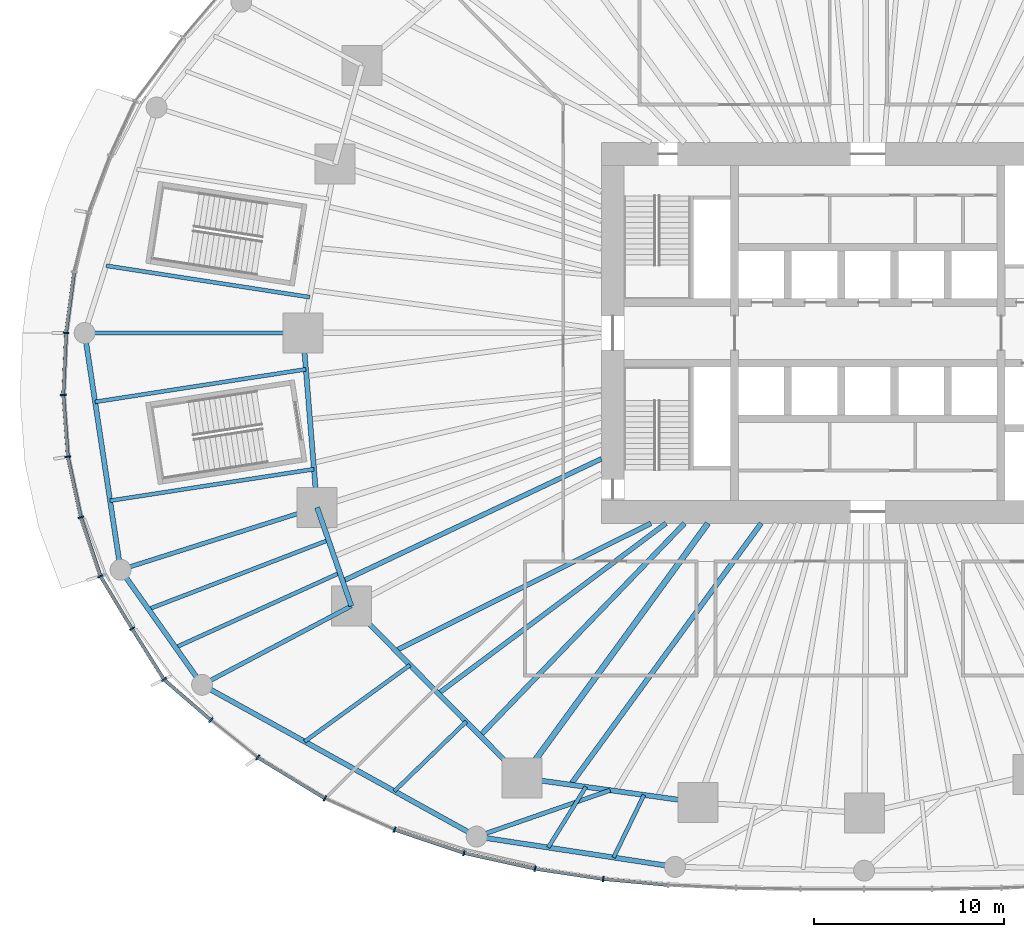
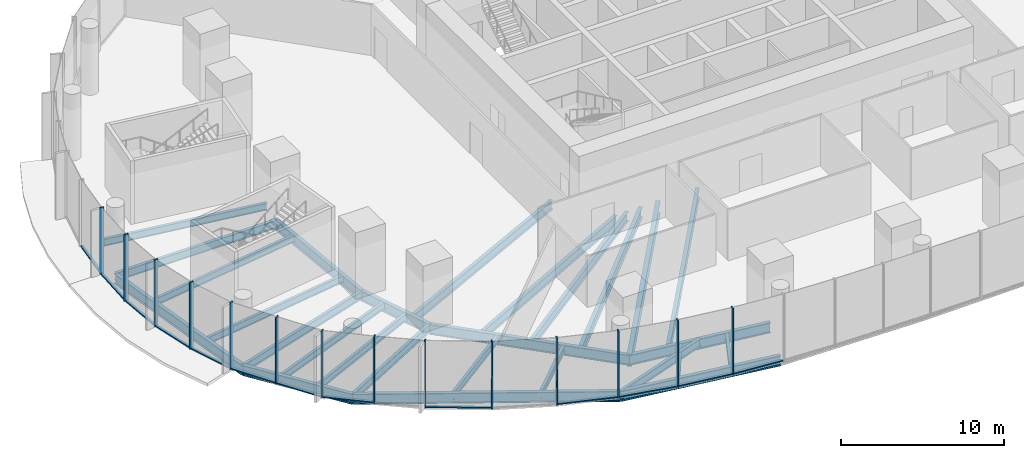
# One storey, part 2 of 28: 27 beams, 27 members, 5 elements without a shape of their own.
"""IFC4 building model written with IfcOpenShell, lengths in metres."""

from ifc_helpers import new_model, si_unit, direction, frame, origin, origin_2d, place, context, subcontext, project, spatial, rectangle, i_section, extrude, material, material_profile, profile_set, type_object, element, aggregate, save


model = new_model("IFC4")

# Units and contexts
model_context = context("Model", 3, precision=1e-05, world=origin(), true_north=direction((0.0, 1.0)))
body_context = subcontext(model_context, "Body", "Model", "MODEL_VIEW")
ifc_project = project(units=[si_unit("LENGTHUNIT", "METRE"), si_unit("AREAUNIT", "SQUARE_METRE"), si_unit("VOLUMEUNIT", "CUBIC_METRE"), si_unit("PLANEANGLEUNIT", "RADIAN"), si_unit("MASSUNIT", "GRAM", prefix="KILO")], contexts=[model_context])

# Site, building, storey
site_placement = place(None, origin())
site = spatial("IfcSite", under=ifc_project, at=site_placement, CompositionType="ELEMENT")
building_placement = place(site_placement, origin())
building = spatial("IfcBuilding", under=site, at=building_placement, Name="Ghaith Harvest Tower", CompositionType="ELEMENT")
storey_placement = place(building_placement, frame((0.0, 0.0, 5.0)))
storey = spatial("IfcBuildingStorey", under=building, at=storey_placement, Name="L01", CompositionType="ELEMENT", Elevation=5.0)

# Curtain wall, members
ifc_material_1 = material(Name="Black anodised aluminium and fritted glass", Category="aluminium")
curtain_wall_type = type_object("IfcCurtainWallType", Name="CW-P CURTAIN WALL", PredefinedType="NOTDEFINED", material=ifc_material_1)
curtain_wall_1_placement = place(storey_placement, origin())
curtain_wall_1 = element("IfcCurtainWall", 1, at=curtain_wall_1_placement, inside=storey, type_object=curtain_wall_type, Name="Curtain wall CW-P bay 11 L01", PredefinedType="NOTDEFINED")
ifc_material_2 = material(Name="Aluminium, black anodised", Category="aluminium")
ifc_material_profile_1 = material_profile(ifc_material_2, rectangle(XDim=0.080078125, YDim=0.300048828125, at=origin_2d()), Name="CW-P MULLION 80x300")
ifc_profile_set_1 = profile_set([ifc_material_profile_1], Name="Aluminium, black anodised")
member_type_1 = type_object("IfcMemberType", Name="CW-P MULLION 80x300", PredefinedType="MULLION", material=ifc_profile_set_1)
member_1_placement = place(storey_placement, frame((-42.1201171875, 0.0, 0.0), z_axis=(0.0, 0.0, 1.0), x_axis=(-0.088430686487, -0.996082332786, 0.0)))
member_1 = element("IfcMember", 2, at=member_1_placement, type_object=member_type_1, Name="CW-P mullion 1 bay 11 L01", PredefinedType="MULLION", context=body_context, shape_type="SweptSolid", body=[
    extrude(rectangle(XDim=0.080078125, YDim=0.300048828125, at=origin_2d()), origin(), (0.0, 0.0, 1.0), 5.0),
])
member_2_placement = place(storey_placement, frame((-42.265380859375, -3.249267578125, 0.0), z_axis=(0.0, 0.0, 1.0), x_axis=(0.014346656927, -0.999897081421, 0.0)))
member_2 = element("IfcMember", 3, at=member_2_placement, type_object=member_type_1, Name="CW-P mullion 2 bay 11 L01", PredefinedType="MULLION", context=body_context, shape_type="SweptSolid", body=[
    extrude(rectangle(XDim=0.080078125, YDim=0.300048828125, at=origin_2d()), origin(), (0.0, 0.0, 1.0), 5.0),
])
member_3_placement = place(storey_placement, frame((-42.02685546875, -6.500244140625, 0.0), z_axis=(0.0, 0.0, 1.0), x_axis=(0.141967505359, -0.989871318618, 0.0)))
member_3 = element("IfcMember", 4, at=member_3_placement, type_object=member_type_1, Name="CW-P mullion 3 bay 11 L01", PredefinedType="MULLION", context=body_context, shape_type="SweptSolid", body=[
    extrude(rectangle(XDim=0.080078125, YDim=0.300048828125, at=origin_2d()), origin(), (0.0, 0.0, 1.0), 5.0),
])
member_4_placement = place(storey_placement, frame((-41.341796875, -9.687744140625, 0.0), z_axis=(0.0, 0.0, 1.0), x_axis=(0.263666740541, -0.964613834616, 0.0)))
member_4 = element("IfcMember", 5, at=member_4_placement, type_object=member_type_1, Name="CW-P mullion 4 bay 11 L01", PredefinedType="MULLION", context=body_context, shape_type="SweptSolid", body=[
    extrude(rectangle(XDim=0.080078125, YDim=0.300048828125, at=origin_2d()), origin(), (0.0, 0.0, 1.0), 5.0),
])

curtain_wall_2_placement = place(storey_placement, origin())
curtain_wall_2 = element("IfcCurtainWall", 6, at=curtain_wall_2_placement, inside=storey, type_object=curtain_wall_type, Name="Curtain wall CW-P bay 12 L01", PredefinedType="NOTDEFINED")
member_5_placement = place(storey_placement, frame((-40.3115234375, -12.775390625, 0.0), z_axis=(0.0, 0.0, 1.0), x_axis=(0.418321809104, -0.908298884744, 0.0)))
member_5 = element("IfcMember", 7, at=member_5_placement, type_object=member_type_1, Name="CW-P mullion 1 bay 12 L01", PredefinedType="MULLION", context=body_context, shape_type="SweptSolid", body=[
    extrude(rectangle(XDim=0.080078125, YDim=0.300048828125, at=origin_2d()), origin(), (0.0, 0.0, 1.0), 5.0),
])
member_6_placement = place(storey_placement, frame((-38.6494140625, -15.53369140625, 0.0), z_axis=(0.0, 0.0, 1.0), x_axis=(0.522983895334, -0.852342563305, 0.0)))
member_6 = element("IfcMember", 8, at=member_6_placement, type_object=member_type_1, Name="CW-P mullion 2 bay 12 L01", PredefinedType="MULLION", context=body_context, shape_type="SweptSolid", body=[
    extrude(rectangle(XDim=0.080078125, YDim=0.300048828125, at=origin_2d()), origin(), (0.0, 0.0, 1.0), 5.0),
])
member_7_placement = place(storey_placement, frame((-36.981201171875, -18.202880859375, 0.0), z_axis=(0.0, 0.0, 1.0), x_axis=(0.653047165379, -0.75731723854, 0.0)))
member_7 = element("IfcMember", 9, at=member_7_placement, type_object=member_type_1, Name="CW-P mullion 3 bay 12 L01", PredefinedType="MULLION", context=body_context, shape_type="SweptSolid", body=[
    extrude(rectangle(XDim=0.080078125, YDim=0.300048828125, at=origin_2d()), origin(), (0.0, 0.0, 1.0), 5.0),
])
member_8_placement = place(storey_placement, frame((-34.5048828125, -20.34033203125, 0.0), z_axis=(0.0, 0.0, 1.0), x_axis=(0.769372987799, -0.638799816566, 0.0)))
member_8 = element("IfcMember", 10, at=member_8_placement, type_object=member_type_1, Name="CW-P mullion 4 bay 12 L01", PredefinedType="MULLION", context=body_context, shape_type="SweptSolid", body=[
    extrude(rectangle(XDim=0.080078125, YDim=0.300048828125, at=origin_2d()), origin(), (0.0, 0.0, 1.0), 5.0),
])

curtain_wall_3_placement = place(storey_placement, origin())
curtain_wall_3 = element("IfcCurtainWall", 11, at=curtain_wall_3_placement, inside=storey, type_object=curtain_wall_type, Name="Curtain wall CW-P bay 13 L01", PredefinedType="NOTDEFINED")
member_9_placement = place(storey_placement, frame((-32.0478515625, -22.299072265625, 0.0), z_axis=(0.0, 0.0, 1.0), x_axis=(0.824303659117, -0.566147929049, 0.0)))
member_9 = element("IfcMember", 12, at=member_9_placement, type_object=member_type_1, Name="CW-P mullion 1 bay 13 L01", PredefinedType="MULLION", context=body_context, shape_type="SweptSolid", body=[
    extrude(rectangle(XDim=0.080078125, YDim=0.300048828125, at=origin_2d()), origin(), (0.0, 0.0, 1.0), 5.0),
])
member_10_placement = place(storey_placement, frame((-28.51904296875, -24.451416015625, 0.0), z_axis=(0.0, 0.0, 1.0), x_axis=(0.884189562915, -0.467128265932, 0.0)))
member_10 = element("IfcMember", 13, at=member_10_placement, type_object=member_type_1, Name="CW-P mullion 2 bay 13 L01", PredefinedType="MULLION", context=body_context, shape_type="SweptSolid", body=[
    extrude(rectangle(XDim=0.080078125, YDim=0.300048828125, at=origin_2d()), origin(), (0.0, 0.0, 1.0), 5.0),
])
member_11_placement = place(storey_placement, frame((-24.861572265625, -26.095703125, 0.0), z_axis=(0.0, 0.0, 1.0), x_axis=(0.93087582333, -0.36533573811, 0.0)))
member_11 = element("IfcMember", 14, at=member_11_placement, type_object=member_type_1, Name="CW-P mullion 3 bay 13 L01", PredefinedType="MULLION", context=body_context, shape_type="SweptSolid", body=[
    extrude(rectangle(XDim=0.080078125, YDim=0.300048828125, at=origin_2d()), origin(), (0.0, 0.0, 1.0), 5.0),
])

curtain_wall_4_placement = place(storey_placement, origin())
curtain_wall_4 = element("IfcCurtainWall", 15, at=curtain_wall_4_placement, inside=storey, type_object=curtain_wall_type, Name="Curtain wall CW-P bay 14 L01", PredefinedType="NOTDEFINED")
member_12_placement = place(storey_placement, frame((-21.2158203125, -27.317626953125, 0.0), z_axis=(0.0, 0.0, 1.0), x_axis=(0.963515543875, -0.267652380358, 0.0)))
member_12 = element("IfcMember", 16, at=member_12_placement, type_object=member_type_1, Name="CW-P mullion 1 bay 14 L01", PredefinedType="MULLION", context=body_context, shape_type="SweptSolid", body=[
    extrude(rectangle(XDim=0.080078125, YDim=0.300048828125, at=origin_2d()), origin(), (0.0, 0.0, 1.0), 5.0),
])
member_13_placement = place(storey_placement, frame((-17.480224609375, -28.146240234375, 0.0), z_axis=(0.0, 0.0, 1.0), x_axis=(0.982925966769, -0.18400147785, 0.0)))
member_13 = element("IfcMember", 17, at=member_13_placement, type_object=member_type_1, Name="CW-P mullion 2 bay 14 L01", PredefinedType="MULLION", context=body_context, shape_type="SweptSolid", body=[
    extrude(rectangle(XDim=0.080078125, YDim=0.300048828125, at=origin_2d()), origin(), (0.0, 0.0, 1.0), 5.0),
])
member_14_placement = place(storey_placement, frame((-13.899169921875, -28.687255859375, 0.0), z_axis=(0.0, 0.0, 1.0), x_axis=(0.992661873774, -0.120923134079, 0.0)))
member_14 = element("IfcMember", 18, at=member_14_placement, type_object=member_type_1, Name="CW-P mullion 3 bay 14 L01", PredefinedType="MULLION", context=body_context, shape_type="SweptSolid", body=[
    extrude(rectangle(XDim=0.080078125, YDim=0.300048828125, at=origin_2d()), origin(), (0.0, 0.0, 1.0), 5.0),
])

# Curtain wall, member
curtain_wall_5_placement = place(storey_placement, origin())
curtain_wall_5 = element("IfcCurtainWall", 19, at=curtain_wall_5_placement, inside=storey, type_object=curtain_wall_type, Name="Curtain wall CW-P bay 10 L01", PredefinedType="NOTDEFINED")
ifc_material_3 = material(Name="Aluminium, black anodised", Category="aluminium")
ifc_material_profile_2 = material_profile(ifc_material_3, rectangle(XDim=0.179931640625, YDim=0.080078125, at=origin_2d()), Name="CW-P TRANSOM 180x80")
ifc_profile_set_2 = profile_set([ifc_material_profile_2], Name="Aluminium, black anodised")
member_type_2 = type_object("IfcMemberType", Name="CW-P TRANSOM 180x80", PredefinedType="USERDEFINED", material=ifc_profile_set_2)
member_15_placement = place(storey_placement, frame((-41.697509765625, 3.16552734375, 0.0400390625), z_axis=(-0.132300630161, -0.991209636383, 0.0), x_axis=(0.991209636383, -0.132300630161, 0.0)))
member_15 = element("IfcMember", 20, at=member_15_placement, type_object=member_type_2, Name="CW-P transom 4 bay 10 L01", ObjectType="TRANSOM", PredefinedType="USERDEFINED", context=body_context, shape_type="SweptSolid", body=[
    extrude(rectangle(XDim=0.179931640625, YDim=0.080078125, at=origin_2d()), origin(), (0.0, 0.0, 1.0), 3.15380859375),
])
aggregate(curtain_wall_5, [member_15])

# Member
member_16_placement = place(storey_placement, frame((-42.121826171875, -0.0400390625, 0.0400390625), z_axis=(-0.044636154371, -0.999003310166, 0.0), x_axis=(0.999003310166, -0.044636154371, 0.0)))
member_16 = element("IfcMember", 21, at=member_16_placement, type_object=member_type_2, Name="CW-P transom 1 bay 11 L01", ObjectType="TRANSOM", PredefinedType="USERDEFINED", context=body_context, shape_type="SweptSolid", body=[
    extrude(rectangle(XDim=0.179931640625, YDim=0.080078125, at=origin_2d()), origin(), (0.0, 0.0, 1.0), 3.17236328125),
])

member_17_placement = place(storey_placement, frame((-42.262451171875, -3.2890625, 0.0400390625), z_axis=(0.073249458945, -0.997313650144, 0.0), x_axis=(0.997313650144, 0.073249458945, 0.0)))
member_17 = element("IfcMember", 22, at=member_17_placement, type_object=member_type_2, Name="CW-P transom 2 bay 11 L01", ObjectType="TRANSOM", PredefinedType="USERDEFINED", context=body_context, shape_type="SweptSolid", body=[
    extrude(rectangle(XDim=0.179931640625, YDim=0.080078125, at=origin_2d()), origin(), (0.0, 0.0, 1.0), 3.1796875),
])

member_18_placement = place(storey_placement, frame((-42.018310546875, -6.539306640625, 0.0400390625), z_axis=(0.210032347731, -0.977694437392, 0.0), x_axis=(0.977694437392, 0.210032347731, 0.0)))
member_18 = element("IfcMember", 23, at=member_18_placement, type_object=member_type_2, Name="CW-P transom 3 bay 11 L01", ObjectType="TRANSOM", PredefinedType="USERDEFINED", context=body_context, shape_type="SweptSolid", body=[
    extrude(rectangle(XDim=0.179931640625, YDim=0.080078125, at=origin_2d()), origin(), (0.0, 0.0, 1.0), 3.180419921875),
])

member_19_placement = place(storey_placement, frame((-41.329345703125, -9.7255859375, 0.0400390625), z_axis=(0.316550680136, -0.948575598941, 0.0), x_axis=(0.948575598941, 0.316550680136, 0.0)))
member_19 = element("IfcMember", 24, at=member_19_placement, type_object=member_type_2, Name="CW-P transom 4 bay 11 L01", ObjectType="TRANSOM", PredefinedType="USERDEFINED", context=body_context, shape_type="SweptSolid", body=[
    extrude(rectangle(XDim=0.179931640625, YDim=0.080078125, at=origin_2d()), origin(), (0.0, 0.0, 1.0), 3.17529296875),
])

aggregate(curtain_wall_1, [member_1, member_16, member_2, member_17, member_3, member_18, member_4, member_19])

member_20_placement = place(storey_placement, frame((-40.290771484375, -12.809814453125, 0.0400390625), z_axis=(0.516084110483, -0.85653790979, 0.0), x_axis=(0.85653790979, 0.516084110483, 0.0)))
member_20 = element("IfcMember", 25, at=member_20_placement, type_object=member_type_2, Name="CW-P transom 1 bay 12 L01", ObjectType="TRANSOM", PredefinedType="USERDEFINED", context=body_context, shape_type="SweptSolid", body=[
    extrude(rectangle(XDim=0.179931640625, YDim=0.080078125, at=origin_2d()), origin(), (0.0, 0.0, 1.0), 3.14013671875),
])

member_21_placement = place(storey_placement, frame((-38.628173828125, -15.567626953125, 0.0400390625), z_axis=(0.529977477861, -0.848011717466, 0.0), x_axis=(0.848011717466, 0.529977477861, 0.0)))
member_21 = element("IfcMember", 26, at=member_21_placement, type_object=member_type_2, Name="CW-P transom 2 bay 12 L01", ObjectType="TRANSOM", PredefinedType="USERDEFINED", context=body_context, shape_type="SweptSolid", body=[
    extrude(rectangle(XDim=0.179931640625, YDim=0.080078125, at=origin_2d()), origin(), (0.0, 0.0, 1.0), 3.067626953125),
])

member_22_placement = place(storey_placement, frame((-36.950927734375, -18.22900390625, 0.0400390625), z_axis=(0.757000159796, -0.653414690735, 0.0), x_axis=(0.653414690735, 0.757000159796, 0.0)))
member_22 = element("IfcMember", 27, at=member_22_placement, type_object=member_type_2, Name="CW-P transom 3 bay 12 L01", ObjectType="TRANSOM", PredefinedType="USERDEFINED", context=body_context, shape_type="SweptSolid", body=[
    extrude(rectangle(XDim=0.179931640625, YDim=0.080078125, at=origin_2d()), origin(), (0.0, 0.0, 1.0), 3.191162109375),
])

aggregate(curtain_wall_2, [member_5, member_20, member_6, member_21, member_7, member_22, member_8])

member_23_placement = place(storey_placement, frame((-32.013671875, -22.31982421875, 0.0400390625), z_axis=(0.85370735862, -0.520753056485, 0.0), x_axis=(0.520753056485, 0.85370735862, 0.0)))
member_23 = element("IfcMember", 28, at=member_23_placement, type_object=member_type_2, Name="CW-P transom 1 bay 13 L01", ObjectType="TRANSOM", PredefinedType="USERDEFINED", context=body_context, shape_type="SweptSolid", body=[
    extrude(rectangle(XDim=0.179931640625, YDim=0.080078125, at=origin_2d()), origin(), (0.0, 0.0, 1.0), 4.053466796875),
])

member_24_placement = place(storey_placement, frame((-24.82373046875, -26.1083984375, 0.0400390625), z_axis=(0.948163297351, -0.317783513665, 0.0), x_axis=(0.317783513665, 0.948163297351, 0.0)))
member_24 = element("IfcMember", 29, at=member_24_placement, type_object=member_type_2, Name="CW-P transom 3 bay 13 L01", ObjectType="TRANSOM", PredefinedType="USERDEFINED", context=body_context, shape_type="SweptSolid", body=[
    extrude(rectangle(XDim=0.179931640625, YDim=0.080078125, at=origin_2d()), origin(), (0.0, 0.0, 1.0), 3.76513671875),
])

aggregate(curtain_wall_3, [member_9, member_23, member_10, member_11, member_24])

member_25_placement = place(storey_placement, frame((-21.1767578125, -27.326416015625, 0.0400390625), z_axis=(0.976285095967, -0.216488825099, 0.0), x_axis=(0.216488825099, 0.976285095967, 0.0)))
member_25 = element("IfcMember", 30, at=member_25_placement, type_object=member_type_2, Name="CW-P transom 1 bay 14 L01", ObjectType="TRANSOM", PredefinedType="USERDEFINED", context=body_context, shape_type="SweptSolid", body=[
    extrude(rectangle(XDim=0.179931640625, YDim=0.080078125, at=origin_2d()), origin(), (0.0, 0.0, 1.0), 3.746337890625),
])

member_26_placement = place(storey_placement, frame((-17.440673828125, -28.152099609375, 0.0400390625), z_axis=(0.988769891986, -0.149445979213, 0.0), x_axis=(0.149445979213, 0.988769891986, 0.0)))
member_26 = element("IfcMember", 31, at=member_26_placement, type_object=member_type_2, Name="CW-P transom 2 bay 14 L01", ObjectType="TRANSOM", PredefinedType="USERDEFINED", context=body_context, shape_type="SweptSolid", body=[
    extrude(rectangle(XDim=0.179931640625, YDim=0.080078125, at=origin_2d()), origin(), (0.0, 0.0, 1.0), 3.541748046875),
])

member_27_placement = place(storey_placement, frame((-13.859375, -28.69091796875, 0.0400390625), z_axis=(0.995865161112, -0.090843716806, 0.0), x_axis=(0.090843716806, 0.995865161112, 0.0)))
member_27 = element("IfcMember", 32, at=member_27_placement, type_object=member_type_2, Name="CW-P transom 3 bay 14 L01", ObjectType="TRANSOM", PredefinedType="USERDEFINED", context=body_context, shape_type="SweptSolid", body=[
    extrude(rectangle(XDim=0.179931640625, YDim=0.080078125, at=origin_2d()), origin(), (0.0, 0.0, 1.0), 3.359375),
])

aggregate(curtain_wall_4, [member_12, member_25, member_13, member_26, member_14, member_27])

# Beams
ifc_material_4 = material(Name="Steel ASTM A992 Grade 50", Category="steel")
ifc_material_profile_3 = material_profile(ifc_material_4, i_section(OverallWidth=0.26806640625, OverallDepth=0.77001953125, WebThickness=0.015625, FlangeThickness=0.025390625, at=origin_2d()), Name="W760X196")
ifc_profile_set_3 = profile_set([ifc_material_profile_3], Name="Steel ASTM A992 Grade 50")
beam_type_1 = type_object("IfcBeamType", Name="E760-196 W760X196", PredefinedType="SPANDREL", material=ifc_profile_set_3)
beam_1_placement = place(storey_placement, frame((-29.675048828125, 0.0, -0.635009765625), z_axis=(0.081006863421, -0.996713543642, 0.0), x_axis=(0.996713543642, 0.081006863421, 0.0)))
element("IfcBeam", 33, at=beam_1_placement, inside=storey, type_object=beam_type_1, Name="Edge beam E11 L01", PredefinedType="SPANDREL", context=body_context, shape_type="SweptSolid", body=[
    extrude(i_section(OverallWidth=0.26806640625, OverallDepth=0.77001953125, WebThickness=0.015625, FlangeThickness=0.025390625, at=origin_2d()), origin(), (0.0, 0.0, 1.0), 9.1982421875),
])
beam_2_placement = place(storey_placement, frame((-28.929931640625, -9.16796875, -0.635009765625), z_axis=(0.328278550319, -0.944580961803, 0.0), x_axis=(0.944580961803, 0.328278550319, 0.0)))
element("IfcBeam", 34, at=beam_2_placement, inside=storey, type_object=beam_type_1, Name="Edge beam E12 L01", PredefinedType="SPANDREL", context=body_context, shape_type="SweptSolid", body=[
    extrude(i_section(OverallWidth=0.26806640625, OverallDepth=0.77001953125, WebThickness=0.015625, FlangeThickness=0.025390625, at=origin_2d()), origin(), (0.0, 0.0, 1.0), 5.4765625),
])
beam_3_placement = place(storey_placement, frame((-27.132080078125, -14.341064453125, -0.635009765625), z_axis=(0.704562513714, -0.709641926798, 0.0), x_axis=(0.709641926798, 0.704562513714, 0.0)))
element("IfcBeam", 35, at=beam_3_placement, inside=storey, type_object=beam_type_1, Name="Edge beam E13 L01", PredefinedType="SPANDREL", context=body_context, shape_type="SweptSolid", body=[
    extrude(i_section(OverallWidth=0.26806640625, OverallDepth=0.77001953125, WebThickness=0.015625, FlangeThickness=0.025390625, at=origin_2d()), origin(), (0.0, 0.0, 1.0), 12.737060546875),
])
beam_4_placement = place(storey_placement, frame((-18.157958984375, -23.3798828125, -0.635009765625), z_axis=(0.990441143901, -0.137936001352, 0.0), x_axis=(0.137936001352, 0.990441143901, 0.0)))
element("IfcBeam", 36, at=beam_4_placement, inside=storey, type_object=beam_type_1, Name="Edge beam E14 L01", PredefinedType="SPANDREL", context=body_context, shape_type="SweptSolid", body=[
    extrude(i_section(OverallWidth=0.26806640625, OverallDepth=0.77001953125, WebThickness=0.015625, FlangeThickness=0.025390625, at=origin_2d()), origin(), (0.0, 0.0, 1.0), 9.33837890625),
])
beam_5_placement = place(storey_placement, frame((-41.14208984375, 0.0, -0.635009765625), z_axis=(0.149882970855, -0.988703744833, 0.0), x_axis=(0.988703744833, 0.149882970855, 0.0)))
element("IfcBeam", 37, at=beam_5_placement, inside=storey, type_object=beam_type_1, Name="Podium edge beam PE11 L01", PredefinedType="SPANDREL", context=body_context, shape_type="SweptSolid", body=[
    extrude(i_section(OverallWidth=0.26806640625, OverallDepth=0.77001953125, WebThickness=0.015625, FlangeThickness=0.025390625, at=origin_2d()), origin(), (0.0, 0.0, 1.0), 12.5830078125),
])
beam_6_placement = place(storey_placement, frame((-39.256103515625, -12.44091796875, -0.635009765625), z_axis=(0.577866461628, -0.81613133289, 0.0), x_axis=(0.81613133289, 0.577866461628, 0.0)))
element("IfcBeam", 38, at=beam_6_placement, inside=storey, type_object=beam_type_1, Name="Podium edge beam PE12 L01", PredefinedType="SPANDREL", context=body_context, shape_type="SweptSolid", body=[
    extrude(i_section(OverallWidth=0.26806640625, OverallDepth=0.77001953125, WebThickness=0.015625, FlangeThickness=0.025390625, at=origin_2d()), origin(), (0.0, 0.0, 1.0), 7.408203125),
])
beam_7_placement = place(storey_placement, frame((-34.97509765625, -18.487060546875, -0.635009765625), z_axis=(0.875250611325, -0.483669688294, 0.0), x_axis=(0.483669688294, 0.875250611325, 0.0)))
element("IfcBeam", 39, at=beam_7_placement, inside=storey, type_object=beam_type_1, Name="Podium edge beam PE13 L01", PredefinedType="SPANDREL", context=body_context, shape_type="SweptSolid", body=[
    extrude(i_section(OverallWidth=0.26806640625, OverallDepth=0.77001953125, WebThickness=0.015625, FlangeThickness=0.025390625, at=origin_2d()), origin(), (0.0, 0.0, 1.0), 16.482177734375),
])
beam_8_placement = place(storey_placement, frame((-20.549072265625, -26.458984375, -0.635009765625), z_axis=(0.988537951138, -0.150972577511, 0.0), x_axis=(0.150972577511, 0.988537951138, 0.0)))
element("IfcBeam", 40, at=beam_8_placement, inside=storey, type_object=beam_type_1, Name="Podium edge beam PE14 L01", PredefinedType="SPANDREL", context=body_context, shape_type="SweptSolid", body=[
    extrude(i_section(OverallWidth=0.26806640625, OverallDepth=0.77001953125, WebThickness=0.015625, FlangeThickness=0.025390625, at=origin_2d()), origin(), (0.0, 0.0, 1.0), 10.538818359375),
])
ifc_material_5 = material(Name="Steel ASTM A992 Grade 50", Category="steel")
ifc_material_profile_4 = material_profile(ifc_material_5, i_section(OverallWidth=0.22802734375, OverallDepth=0.60302734375, WebThickness=0.010498046875, FlangeThickness=0.014892578125, at=origin_2d()), Name="W610X101")
ifc_profile_set_4 = profile_set([ifc_material_profile_4], Name="Steel ASTM A992 Grade 50")
beam_type_2 = type_object("IfcBeamType", Name="G610-101 W610X101", PredefinedType="BEAM", material=ifc_profile_set_4)
beam_9_placement = place(storey_placement, frame((-29.675048828125, 0.0, -0.551513671875), z_axis=(-1.0, 0.0, 0.0), x_axis=(0.0, -1.0, 0.0)))
element("IfcBeam", 41, at=beam_9_placement, inside=storey, type_object=beam_type_2, Name="Podium radial beam PR11 L01", PredefinedType="BEAM", context=body_context, shape_type="SweptSolid", body=[
    extrude(i_section(OverallWidth=0.22802734375, OverallDepth=0.60302734375, WebThickness=0.010498046875, FlangeThickness=0.014892578125, at=origin_2d()), origin(), (0.0, 0.0, 1.0), 11.467041015625),
])
beam_10_placement = place(storey_placement, frame((-28.929931640625, -9.16796875, -0.551513671875), z_axis=(-0.953262623982, -0.302142962386, 0.0), x_axis=(0.302142962386, -0.953262623982, 0.0)))
element("IfcBeam", 42, at=beam_10_placement, inside=storey, type_object=beam_type_2, Name="Podium radial beam PR12 L01", PredefinedType="BEAM", context=body_context, shape_type="SweptSolid", body=[
    extrude(i_section(OverallWidth=0.22802734375, OverallDepth=0.60302734375, WebThickness=0.010498046875, FlangeThickness=0.014892578125, at=origin_2d()), origin(), (0.0, 0.0, 1.0), 10.83251953125),
])
beam_11_placement = place(storey_placement, frame((-27.132080078125, -14.341064453125, -0.551513671875), z_axis=(-0.884076260835, -0.467342663393, 0.0), x_axis=(0.467342663393, -0.884076260835, 0.0)))
element("IfcBeam", 43, at=beam_11_placement, inside=storey, type_object=beam_type_2, Name="Podium radial beam PR13 L01", PredefinedType="BEAM", context=body_context, shape_type="SweptSolid", body=[
    extrude(i_section(OverallWidth=0.22802734375, OverallDepth=0.60302734375, WebThickness=0.010498046875, FlangeThickness=0.014892578125, at=origin_2d()), origin(), (0.0, 0.0, 1.0), 8.871337890625),
])
beam_12_placement = place(storey_placement, frame((-13.533447265625, -24.02392578125, -0.551513671875), z_axis=(-0.944712141778, -0.327900852662, 0.0), x_axis=(0.327900852662, -0.944712141778, 0.0)))
element("IfcBeam", 44, at=beam_12_placement, inside=storey, type_object=beam_type_2, Name="Podium radial beam PR14 L01", PredefinedType="BEAM", context=body_context, shape_type="SweptSolid", body=[
    extrude(i_section(OverallWidth=0.22802734375, OverallDepth=0.60302734375, WebThickness=0.010498046875, FlangeThickness=0.014892578125, at=origin_2d()), origin(), (0.0, 0.0, 1.0), 7.42626953125),
])
ifc_material_6 = material(Name="Steel ASTM A992 Grade 50", Category="steel")
ifc_material_profile_5 = material_profile(ifc_material_6, i_section(OverallWidth=0.31005859375, OverallDepth=0.927001953125, WebThickness=0.019287109375, FlangeThickness=0.031982421875, at=origin_2d()), Name="W920X289")
ifc_profile_set_5 = profile_set([ifc_material_profile_5], Name="Steel ASTM A992 Grade 50")
beam_type_3 = type_object("IfcBeamType", Name="G920-289 W920X289", PredefinedType="BEAM", material=ifc_profile_set_5)
beam_13_placement = place(storey_placement, frame((-8.39990234375, -10.0, -0.71337890625), z_axis=(-0.589246749374, -0.807953134997, 0.0), x_axis=(0.807953134997, -0.589246749374, 0.0)))
element("IfcBeam", 45, at=beam_13_placement, inside=storey, type_object=beam_type_3, Name="Radial girder G14 L01", PredefinedType="BEAM", context=body_context, shape_type="SweptSolid", body=[
    extrude(i_section(OverallWidth=0.31005859375, OverallDepth=0.927001953125, WebThickness=0.019287109375, FlangeThickness=0.031982421875, at=origin_2d()), origin(), (0.0, 0.0, 1.0), 16.560302734375),
])
ifc_material_7 = material(Name="Steel ASTM A992 Grade 50", Category="steel")
ifc_material_profile_6 = material_profile(ifc_material_7, i_section(OverallWidth=0.208984375, OverallDepth=0.532958984375, WebThickness=0.01025390625, FlangeThickness=0.015625, at=origin_2d()), Name="W530X92")
ifc_profile_set_6 = profile_set([ifc_material_profile_6], Name="Steel ASTM A992 Grade 50")
beam_type_4 = type_object("IfcBeamType", Name="J530-92 W530X92", PredefinedType="JOIST", material=ifc_profile_set_6)
beam_14_placement = place(storey_placement, frame((-29.316650390625, 1.878173828125, -0.5166015625), z_axis=(-0.988250142004, 0.152845205449, 0.0), x_axis=(-0.152845205449, -0.988250142004, 0.0)))
element("IfcBeam", 46, at=beam_14_placement, inside=storey, type_object=beam_type_4, Name="Podium joist PJ10.2 L01", PredefinedType="JOIST", context=body_context, shape_type="SweptSolid", body=[
    extrude(i_section(OverallWidth=0.208984375, OverallDepth=0.532958984375, WebThickness=0.01025390625, FlangeThickness=0.015625, at=origin_2d()), origin(), (0.0, 0.0, 1.0), 10.824951171875),
])
beam_15_placement = place(storey_placement, frame((-29.519775390625, -1.90966796875, -0.5166015625), z_axis=(-0.988249717028, -0.152847953191, 0.0), x_axis=(0.152847953191, -0.988249717028, 0.0)))
element("IfcBeam", 47, at=beam_15_placement, inside=storey, type_object=beam_type_4, Name="Podium joist PJ11.1 L01", PredefinedType="JOIST", context=body_context, shape_type="SweptSolid", body=[
    extrude(i_section(OverallWidth=0.208984375, OverallDepth=0.532958984375, WebThickness=0.01025390625, FlangeThickness=0.015625, at=origin_2d()), origin(), (0.0, 0.0, 1.0), 11.204833984375),
])
beam_16_placement = place(storey_placement, frame((-29.093505859375, -7.156005859375, -0.5166015625), z_axis=(-0.988247691561, -0.152861048421, 0.0), x_axis=(0.152861048421, -0.988247691561, 0.0)))
element("IfcBeam", 48, at=beam_16_placement, inside=storey, type_object=beam_type_4, Name="Podium joist PJ11.2 L01", PredefinedType="JOIST", context=body_context, shape_type="SweptSolid", body=[
    extrude(i_section(OverallWidth=0.208984375, OverallDepth=0.532958984375, WebThickness=0.01025390625, FlangeThickness=0.015625, at=origin_2d()), origin(), (0.0, 0.0, 1.0), 10.83984375),
])
beam_17_placement = place(storey_placement, frame((-28.334228515625, -10.8818359375, -0.5166015625), z_axis=(-0.933520076282, -0.35852512768, 0.0), x_axis=(0.35852512768, -0.933520076282, 0.0)))
element("IfcBeam", 49, at=beam_17_placement, inside=storey, type_object=beam_type_4, Name="Podium joist PJ12.1 L01", PredefinedType="JOIST", context=body_context, shape_type="SweptSolid", body=[
    extrude(i_section(OverallWidth=0.208984375, OverallDepth=0.532958984375, WebThickness=0.01025390625, FlangeThickness=0.015625, at=origin_2d()), origin(), (0.0, 0.0, 1.0), 10.1279296875),
])
beam_18_placement = place(storey_placement, frame((-27.736328125, -12.60205078125, -0.5166015625), z_axis=(-0.910437915536, -0.413645744514, 0.0), x_axis=(0.413645744514, -0.910437915536, 0.0)))
element("IfcBeam", 50, at=beam_18_placement, inside=storey, type_object=beam_type_4, Name="Podium joist PJ12.2 L01", PredefinedType="JOIST", context=body_context, shape_type="SweptSolid", body=[
    extrude(i_section(OverallWidth=0.208984375, OverallDepth=0.532958984375, WebThickness=0.01025390625, FlangeThickness=0.015625, at=origin_2d()), origin(), (0.0, 0.0, 1.0), 9.478271484375),
])
beam_19_placement = place(storey_placement, frame((-24.048095703125, -17.447509765625, -0.5166015625), z_axis=(-0.80941453106, -0.587237700517, 0.0), x_axis=(0.587237700517, -0.80941453106, 0.0)))
element("IfcBeam", 51, at=beam_19_placement, inside=storey, type_object=beam_type_4, Name="Podium joist PJ13.1 L01", PredefinedType="JOIST", context=body_context, shape_type="SweptSolid", body=[
    extrude(i_section(OverallWidth=0.208984375, OverallDepth=0.532958984375, WebThickness=0.01025390625, FlangeThickness=0.015625, at=origin_2d()), origin(), (0.0, 0.0, 1.0), 6.841552734375),
])
beam_20_placement = place(storey_placement, frame((-21.09765625, -20.419189453125, -0.5166015625), z_axis=(-0.718566911947, -0.695457829817, 0.0), x_axis=(0.695457829817, -0.718566911947, 0.0)))
element("IfcBeam", 52, at=beam_20_placement, inside=storey, type_object=beam_type_4, Name="Podium joist PJ13.2 L01", PredefinedType="JOIST", context=body_context, shape_type="SweptSolid", body=[
    extrude(i_section(OverallWidth=0.208984375, OverallDepth=0.532958984375, WebThickness=0.01025390625, FlangeThickness=0.015625, at=origin_2d()), origin(), (0.0, 0.0, 1.0), 5.250732421875),
])
beam_21_placement = place(storey_placement, frame((-14.809814453125, -23.84619140625, -0.5166015625), z_axis=(-0.527528090302, -0.849537588305, 0.0), x_axis=(0.849537588305, -0.527528090302, 0.0)))
element("IfcBeam", 53, at=beam_21_placement, inside=storey, type_object=beam_type_4, Name="Podium joist PJ14.1 L01", PredefinedType="JOIST", context=body_context, shape_type="SweptSolid", body=[
    extrude(i_section(OverallWidth=0.208984375, OverallDepth=0.532958984375, WebThickness=0.01025390625, FlangeThickness=0.015625, at=origin_2d()), origin(), (0.0, 0.0, 1.0), 3.75146484375),
])
beam_22_placement = place(storey_placement, frame((-11.759521484375, -24.27099609375, -0.5166015625), z_axis=(-0.436002893148, -0.899945263428, 0.0), x_axis=(0.899945263428, -0.436002893148, 0.0)))
element("IfcBeam", 54, at=beam_22_placement, inside=storey, type_object=beam_type_4, Name="Podium joist PJ14.2 L01", PredefinedType="JOIST", context=body_context, shape_type="SweptSolid", body=[
    extrude(i_section(OverallWidth=0.208984375, OverallDepth=0.532958984375, WebThickness=0.01025390625, FlangeThickness=0.015625, at=origin_2d()), origin(), (0.0, 0.0, 1.0), 3.652587890625),
])
ifc_material_8 = material(Name="Steel ASTM A992 Grade 50", Category="steel")
ifc_material_profile_7 = material_profile(ifc_material_8, i_section(OverallWidth=0.25390625, OverallDepth=0.68408203125, WebThickness=0.012451171875, FlangeThickness=0.018798828125, at=origin_2d()), Name="W690X140")
ifc_profile_set_7 = profile_set([ifc_material_profile_7], Name="Steel ASTM A992 Grade 50")
beam_type_5 = type_object("IfcBeamType", Name="J690-140 W690X140", PredefinedType="JOIST", material=ifc_profile_set_7)
beam_23_placement = place(storey_placement, frame((-14.0, -6.614990234375, -0.592041015625), z_axis=(-0.904152605228, -0.427209628239, 0.0), x_axis=(0.427209628239, -0.904152605228, 0.0)))
element("IfcBeam", 55, at=beam_23_placement, inside=storey, type_object=beam_type_5, Name="Joist J12.3 L01", PredefinedType="JOIST", context=body_context, shape_type="SweptSolid", body=[
    extrude(i_section(OverallWidth=0.25390625, OverallDepth=0.68408203125, WebThickness=0.012451171875, FlangeThickness=0.018798828125, at=origin_2d()), origin(), (0.0, 0.0, 1.0), 15.0263671875),
])
beam_24_placement = place(storey_placement, frame((-11.39990234375, -10.0, -0.592041015625), z_axis=(-0.894746445211, -0.446574516495, 0.0), x_axis=(0.446574516495, -0.894746445211, 0.0)))
element("IfcBeam", 56, at=beam_24_placement, inside=storey, type_object=beam_type_5, Name="Joist J13.1 L01", PredefinedType="JOIST", context=body_context, shape_type="SweptSolid", body=[
    extrude(i_section(OverallWidth=0.25390625, OverallDepth=0.68408203125, WebThickness=0.012451171875, FlangeThickness=0.018798828125, at=origin_2d()), origin(), (0.0, 0.0, 1.0), 14.977783203125),
])
beam_25_placement = place(storey_placement, frame((-10.60009765625, -10.0, -0.592041015625), z_axis=(-0.800995319048, -0.598670609653, 0.0), x_axis=(0.598670609653, -0.800995319048, 0.0)))
element("IfcBeam", 57, at=beam_25_placement, inside=storey, type_object=beam_type_5, Name="Joist J13.2 L01", PredefinedType="JOIST", context=body_context, shape_type="SweptSolid", body=[
    extrude(i_section(OverallWidth=0.25390625, OverallDepth=0.68408203125, WebThickness=0.012451171875, FlangeThickness=0.018798828125, at=origin_2d()), origin(), (0.0, 0.0, 1.0), 14.936279296875),
])
ifc_material_9 = material(Name="Steel ASTM A992 Grade 50", Category="steel")
ifc_material_profile_8 = material_profile(ifc_material_9, i_section(OverallWidth=0.26806640625, OverallDepth=0.77001953125, WebThickness=0.015625, FlangeThickness=0.025390625, at=origin_2d()), Name="W760X196")
ifc_profile_set_8 = profile_set([ifc_material_profile_8], Name="Steel ASTM A992 Grade 50")
beam_type_6 = type_object("IfcBeamType", Name="J760-196 W760X196", PredefinedType="JOIST", material=ifc_profile_set_8)
beam_26_placement = place(storey_placement, frame((-9.626708984375, -10.0, -0.635009765625), z_axis=(-0.69353836378, -0.720419695709, 0.0), x_axis=(0.720419695709, -0.69353836378, 0.0)))
element("IfcBeam", 58, at=beam_26_placement, inside=storey, type_object=beam_type_6, Name="Joist J13.3 L01", PredefinedType="JOIST", context=body_context, shape_type="SweptSolid", body=[
    extrude(i_section(OverallWidth=0.26806640625, OverallDepth=0.77001953125, WebThickness=0.015625, FlangeThickness=0.025390625, at=origin_2d()), origin(), (0.0, 0.0, 1.0), 15.485107421875),
])
beam_27_placement = place(storey_placement, frame((-5.60009765625, -10.0, -0.635009765625), z_axis=(-0.589160240072, -0.808016219836, 0.0), x_axis=(0.808016219836, -0.589160240072, 0.0)))
element("IfcBeam", 59, at=beam_27_placement, inside=storey, type_object=beam_type_6, Name="Joist J14.1 L01", PredefinedType="JOIST", context=body_context, shape_type="SweptSolid", body=[
    extrude(i_section(OverallWidth=0.26806640625, OverallDepth=0.77001953125, WebThickness=0.015625, FlangeThickness=0.025390625, at=origin_2d()), origin(), (0.0, 0.0, 1.0), 16.997314453125),
])

save(model, "model.ifc")
